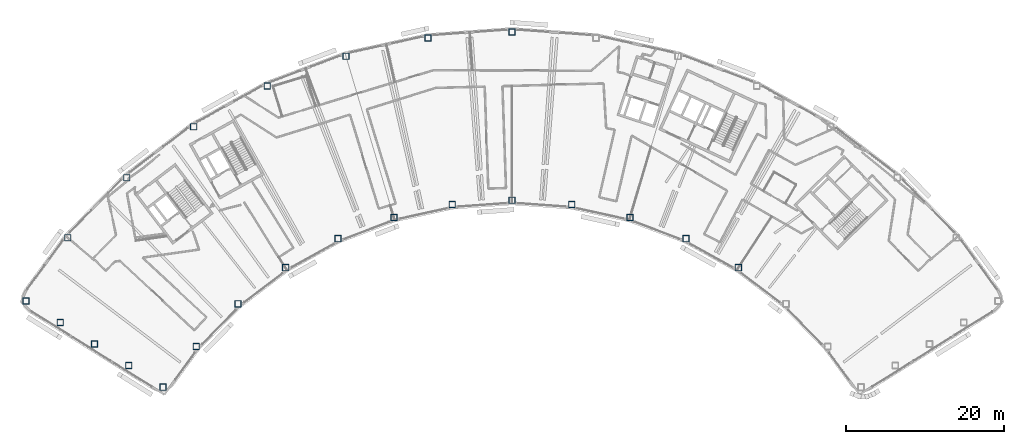
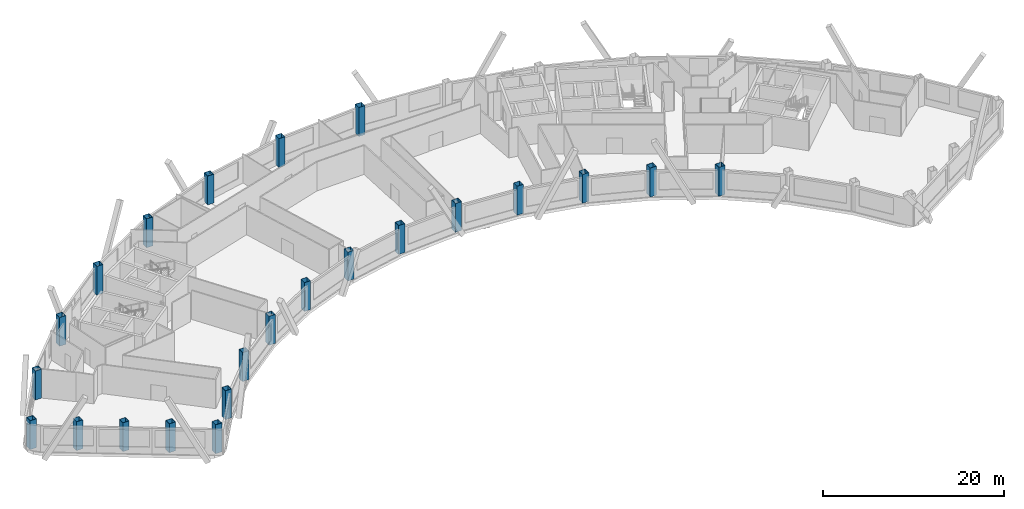
# One storey, part 1 of 13: 23 columns.
"""IFC4 building model written with IfcOpenShell, lengths in metres."""

from ifc_helpers import new_model, si_unit, direction, frame, origin, origin_2d, place, context, subcontext, project, spatial, hollow_rectangle, extrude, material, material_profile, profile_set, type_object, element, save


model = new_model("IFC4")

# Units and contexts
model_context = context("Model", 3, precision=1e-05, world=origin(), true_north=direction((0.0, 1.0)))
body_context = subcontext(model_context, "Body", "Model", "MODEL_VIEW")
ifc_project = project(units=[si_unit("LENGTHUNIT", "METRE"), si_unit("AREAUNIT", "SQUARE_METRE"), si_unit("VOLUMEUNIT", "CUBIC_METRE"), si_unit("PLANEANGLEUNIT", "RADIAN"), si_unit("MASSUNIT", "GRAM", prefix="KILO")], contexts=[model_context])

# Site, building, storey
site_placement = place(None, origin())
site = spatial("IfcSite", under=ifc_project, at=site_placement, CompositionType="ELEMENT")
building_placement = place(site_placement, origin())
building = spatial("IfcBuilding", under=site, at=building_placement, Name="Tuul Gate Civic Tower", CompositionType="ELEMENT")
storey_placement = place(building_placement, frame((0.0, 0.0, 285.800048828125)))
storey = spatial("IfcBuildingStorey", under=building, at=storey_placement, Name="Level 64", CompositionType="ELEMENT", Elevation=285.800048828125)

# Columns
ifc_material = material(Name="Steel S355", Category="steel")
ifc_material_profile = material_profile(ifc_material, hollow_rectangle(XDim=0.800048828125, YDim=0.800048828125, WallThickness=0.031982421875, at=origin_2d()), Name="BOX800x800x32")
ifc_profile_set = profile_set([ifc_material_profile], Name="Steel S355")
column_type = type_object("IfcColumnType", Name="STR-COLUMN-BOX800x800x32", PredefinedType="COLUMN", material=ifc_profile_set)
for number, where, z_axis, x_axis, name in (
    (1, (6.7880859375, 9.23193359375, 0.0), (0.0, 0.0, 1.0), (1.0, 0.0, 0.0), "Column"),
    (2, (-3.861083984375, 8.4599609375, 0.0), (0.0, 0.0, 1.0), (1.0, 0.0, 0.0), "Column"),
    (3, (-14.2880859375, 6.162109375, 0.0), (0.0, 0.0, 1.0), (1.0, 0.0, 0.0), "Column"),
    (4, (-24.27587890625, 2.385009765625, 0.0), (0.0, 0.0, 1.0), (1.0, 0.0, 0.0), "Column"),
    (5, (-33.614013671875, -2.791015625, 0.0), (0.0, 0.0, 1.0), (1.0, 0.0, 0.0), "Column"),
    (6, (-42.10888671875, -9.259033203125, 0.0), (0.0, 0.0, 1.0), (1.0, 0.0, 0.0), "Column"),
    (7, (-49.583984375, -16.884033203125, 0.0), (0.0, 0.0, 1.0), (1.0, 0.0, 0.0), "Column"),
    (8, (-54.883056640625, -24.89697265625, 0.0), (0.0, 0.0, 1.0), (1.0, 0.0, 0.0), "Column"),
    (9, (-50.5400390625, -27.631103515625, 0.0), (0.0, 0.0, 1.0), (1.0, 0.0, 0.0), "Column"),
    (10, (-46.197998046875, -30.365966796875, 0.0), (0.0, 0.0, 1.0), (1.0, 0.0, 0.0), "Column"),
    (11, (-41.85498046875, -33.10009765625, 0.0), (0.0, 0.0, 1.0), (1.0, 0.0, 0.0), "Column"),
    (12, (-37.512939453125, -35.8349609375, 0.0), (0.0, 0.0, 1.0), (1.0, 0.0, 0.0), "Column"),
    (13, (-33.29296875, -30.693115234375, 0.0), (0.0, 0.0, 1.0), (1.0, 0.0, 0.0), "Column"),
    (14, (-27.97900390625, -25.27099609375, 0.0), (0.0, 0.0, 1.0), (1.0, 0.0, 0.0), "Column"),
    (15, (-21.93798828125, -20.672119140625, 0.0), (0.0, 0.0, 1.0), (1.0, 0.0, 0.0), "Column"),
    (16, (-15.298095703125, -16.991943359375, 0.0), (0.0, 0.0, 1.0), (1.0, 0.0, 0.0), "Column"),
    (17, (-8.197998046875, -14.306884765625, 0.0), (0.0, 0.0, 1.0), (1.0, 0.0, 0.0), "Column"),
    (18, (-0.783935546875, -12.673095703125, 0.0), (0.0, 0.0, 1.0), (1.0, 0.0, 0.0), "Column"),
    (19, (6.7880859375, -12.1240234375, 0.0), (0.0, 0.0, 1.0), (1.0, 0.0, 0.0), "Column"),
    (20, (14.360107421875, -12.673095703125, 0.0), (0.0, 0.0, 1.0), (1.0, 0.0, 0.0), "Column"),
    (21, (21.77392578125, -14.306884765625, 0.0), (0.0, 0.0, 1.0), (1.0, 0.0, 0.0), "Column"),
    (22, (28.875, -16.991943359375, 0.0), (0.0, 0.0, 1.0), (1.0, 0.0, 0.0), "Column"),
    (23, (35.514892578125, -20.672119140625, 0.0), (0.0, 0.0, 1.0), (1.0, 0.0, 0.0), "Column"),
):
    element("IfcColumn", number, at=place(storey_placement, frame(where, z_axis=z_axis, x_axis=x_axis)), inside=storey, type_object=column_type, Name=name, PredefinedType="COLUMN", context=body_context, shape_type="SweptSolid", body=[
        extrude(hollow_rectangle(XDim=0.800048828125, YDim=0.800048828125, WallThickness=0.031982421875, at=origin_2d()), origin(), (0.0, 0.0, 1.0), 3.89990234375),
    ])

save(model, "model.ifc")
